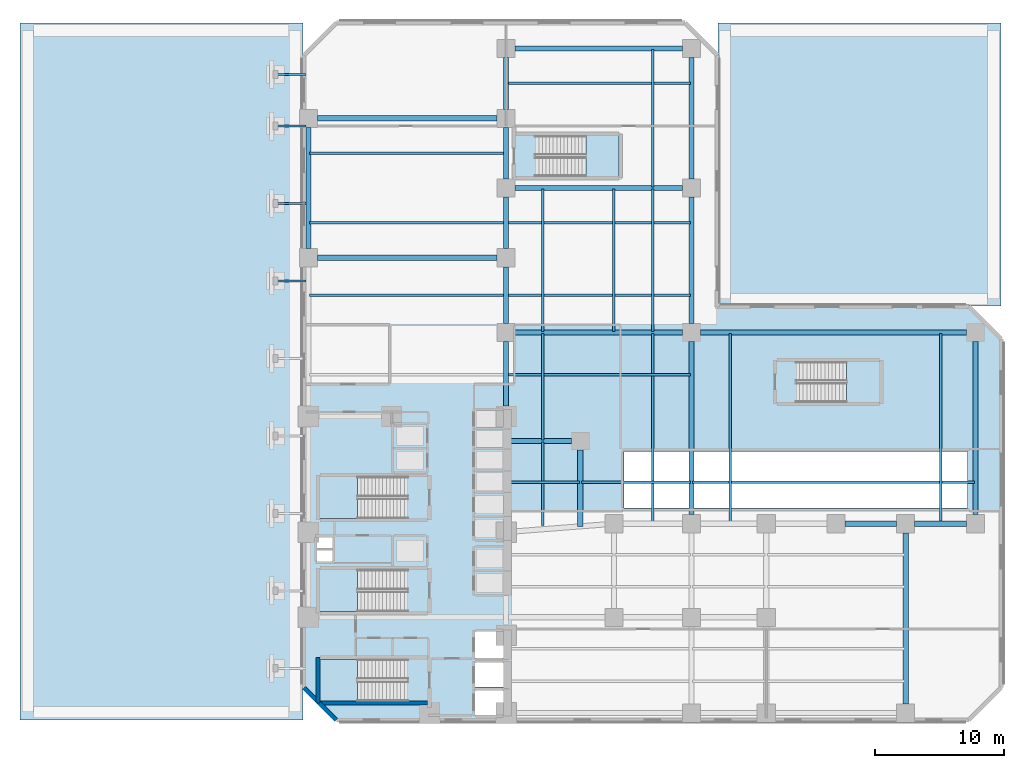
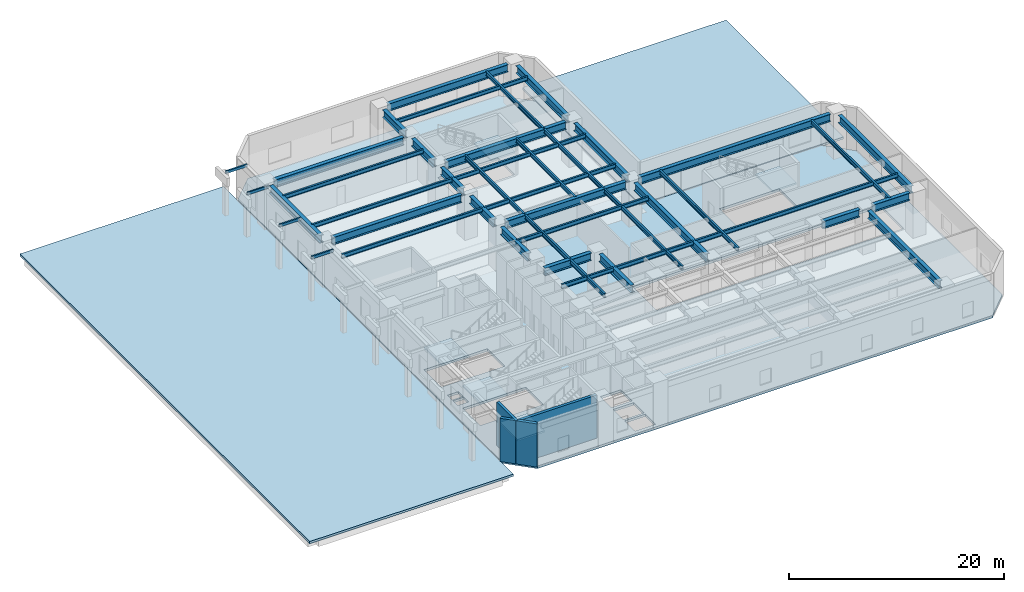
# One storey, part 2 of 14: 44 beams, 8 slabs, 3 walls, 5 elements without a shape of their own.
"""IFC4 building model written with IfcOpenShell, lengths in metres."""

from ifc_helpers import new_model, si_unit, direction, frame, frame_2d, origin, origin_2d, place, context, subcontext, project, spatial, polyline, rectangle, hollow_rectangle, i_section, outline, extrude, material, layer, layer_set, material_profile, profile_set, type_object, element, aggregate, save


model = new_model("IFC4")

# Units and contexts
model_context = context("Model", 3, precision=1e-05, world=origin(), true_north=direction((0.0, 1.0)))
body_context = subcontext(model_context, "Body", "Model", "MODEL_VIEW")
ifc_project = project(units=[si_unit("LENGTHUNIT", "METRE"), si_unit("AREAUNIT", "SQUARE_METRE"), si_unit("VOLUMEUNIT", "CUBIC_METRE"), si_unit("PLANEANGLEUNIT", "RADIAN"), si_unit("MASSUNIT", "GRAM", prefix="KILO")], contexts=[model_context])

# Site, building, storey
site_placement = place(None, origin())
site = spatial("IfcSite", under=ifc_project, at=site_placement, CompositionType="ELEMENT")
building_placement = place(site_placement, origin())
building = spatial("IfcBuilding", under=site, at=building_placement, Name="Mawjaban Terraces University", CompositionType="ELEMENT")
storey_placement = place(building_placement, origin())
storey = spatial("IfcBuildingStorey", under=building, at=storey_placement, Name="L00", CompositionType="ELEMENT", Elevation=0.0)

# Beams
ifc_material_1 = material(Name="Steel EN 10210-1 S355J2H", Category="steel")
ifc_material_profile_1 = material_profile(ifc_material_1, hollow_rectangle(XDim=0.14990234375, YDim=0.300048828125, WallThickness=0.012451171875, at=origin_2d()), Name="RHS300X150X12.5")
ifc_profile_set_1 = profile_set([ifc_material_profile_1], Name="Steel EN 10210-1 S355J2H")
beam_type_1 = type_object("IfcBeamType", Name="BalconyCantileverSpandrel_RHS", PredefinedType="SPANDREL", material=ifc_profile_set_1)
for number, where, z_axis, x_axis, name in (
    (1, (19.800048828125, 34.0, 4.77001953125), (1.0, 0.0, 0.0), (0.0, 1.0, 0.0), "L00 Plaza Canopy Tie Beam 06"),
    (2, (19.800048828125, 40.0, 4.77001953125), (1.0, 0.0, 0.0), (0.0, 1.0, 0.0), "L00 Plaza Canopy Tie Beam 07"),
    (3, (19.800048828125, 46.0, 4.77001953125), (1.0, 0.0, 0.0), (0.0, 1.0, 0.0), "L00 Plaza Canopy Tie Beam 08"),
    (4, (19.800048828125, 50.0, 4.77001953125), (1.0, 0.0, 0.0), (0.0, 1.0, 0.0), "L00 Plaza Canopy Tie Beam 09"),
):
    element("IfcBeam", number, at=place(storey_placement, frame(where, z_axis=z_axis, x_axis=x_axis)), inside=storey, type_object=beam_type_1, Name=name, PredefinedType="SPANDREL", context=body_context, shape_type="SweptSolid", body=[
        extrude(hollow_rectangle(XDim=0.14990234375, YDim=0.300048828125, WallThickness=0.012451171875, at=origin_2d()), origin(), (0.0, 0.0, 1.0), 2.349853515625),
    ])
ifc_material_2 = material(Name="Steel ASTM A572 Grade 50", Category="steel")
ifc_material_profile_2 = material_profile(ifc_material_2, i_section(OverallWidth=0.39990234375, OverallDepth=0.85498046875, WebThickness=0.018310546875, FlangeThickness=0.029296875, at=origin_2d()), Name="W840X299")
ifc_profile_set_2 = profile_set([ifc_material_profile_2], Name="Steel ASTM A572 Grade 50")
beam_type_2 = type_object("IfcBeamType", Name="Beam_B_W840X299", PredefinedType="BEAM", material=ifc_profile_set_2)
for number, where, z_axis, x_axis, name in (
    (5, (63.89990234375, 15.199951171875, 4.491943359375), (1.0, 0.0, 0.0), (0.0, 1.0, 0.0), "L00 Beam BM-L00-EW-10"),
    (6, (69.300048828125, 15.199951171875, 4.491943359375), (1.0, 0.0, 0.0), (0.0, 1.0, 0.0), "L00 Beam BM-L00-EW-11"),
):
    element("IfcBeam", number, at=place(storey_placement, frame(where, z_axis=z_axis, x_axis=x_axis)), inside=storey, type_object=beam_type_2, Name=name, PredefinedType="BEAM", context=body_context, shape_type="SweptSolid", body=[
        extrude(i_section(OverallWidth=0.39990234375, OverallDepth=0.85498046875, WebThickness=0.018310546875, FlangeThickness=0.029296875, at=origin_2d()), origin(), (0.0, 0.0, 1.0), 4.0),
    ])
beam_1_placement = place(storey_placement, frame((38.35009765625, 30.0, 4.491943359375), z_axis=(1.0, 0.0, 0.0), x_axis=(0.0, 1.0, 0.0)))
element("IfcBeam", 7, at=beam_1_placement, inside=storey, type_object=beam_type_2, Name="L00 Beam BM-L00-EW-13", PredefinedType="BEAM", context=body_context, shape_type="SweptSolid", body=[
    extrude(i_section(OverallWidth=0.39990234375, OverallDepth=0.85498046875, WebThickness=0.018310546875, FlangeThickness=0.029296875, at=origin_2d()), origin(), (0.0, 0.0, 1.0), 12.949951171875),
])
beam_2_placement = place(storey_placement, frame((52.699951171875, 30.0, 4.491943359375), z_axis=(1.0, 0.0, 0.0), x_axis=(0.0, 1.0, 0.0)))
element("IfcBeam", 8, at=beam_2_placement, inside=storey, type_object=beam_type_2, Name="L00 Beam BM-L00-EW-14", PredefinedType="BEAM", context=body_context, shape_type="SweptSolid", body=[
    extrude(i_section(OverallWidth=0.39990234375, OverallDepth=0.85498046875, WebThickness=0.018310546875, FlangeThickness=0.029296875, at=origin_2d()), origin(), (0.0, 0.0, 1.0), 20.60009765625),
])
beam_3_placement = place(storey_placement, frame((23.050048828125, 35.800048828125, 4.491943359375), z_axis=(1.0, 0.0, 0.0), x_axis=(0.0, 1.0, 0.0)))
element("IfcBeam", 9, at=beam_3_placement, inside=storey, type_object=beam_type_2, Name="L00 Beam BM-L00-EW-15", PredefinedType="BEAM", context=body_context, shape_type="SweptSolid", body=[
    extrude(i_section(OverallWidth=0.39990234375, OverallDepth=0.85498046875, WebThickness=0.018310546875, FlangeThickness=0.029296875, at=origin_2d()), origin(), (0.0, 0.0, 1.0), 13.89990234375),
])
beam_4_placement = place(storey_placement, frame((38.35009765625, 41.199951171875, 4.491943359375), z_axis=(1.0, 0.0, 0.0), x_axis=(0.0, 1.0, 0.0)))
element("IfcBeam", 10, at=beam_4_placement, inside=storey, type_object=beam_type_2, Name="L00 Beam BM-L00-EW-16", PredefinedType="BEAM", context=body_context, shape_type="SweptSolid", body=[
    extrude(i_section(OverallWidth=0.39990234375, OverallDepth=0.85498046875, WebThickness=0.018310546875, FlangeThickness=0.029296875, at=origin_2d()), origin(), (0.0, 0.0, 1.0), 12.949951171875),
])
beam_5_placement = place(storey_placement, frame((23.050048828125, 46.60009765625, 4.491943359375), z_axis=(1.0, 0.0, 0.0), x_axis=(0.0, 1.0, 0.0)))
element("IfcBeam", 11, at=beam_5_placement, inside=storey, type_object=beam_type_2, Name="L00 Beam BM-L00-EW-17", PredefinedType="BEAM", context=body_context, shape_type="SweptSolid", body=[
    extrude(i_section(OverallWidth=0.39990234375, OverallDepth=0.85498046875, WebThickness=0.018310546875, FlangeThickness=0.029296875, at=origin_2d()), origin(), (0.0, 0.0, 1.0), 13.89990234375),
])
beam_6_placement = place(storey_placement, frame((38.35009765625, 52.0, 4.491943359375), z_axis=(1.0, 0.0, 0.0), x_axis=(0.0, 1.0, 0.0)))
element("IfcBeam", 12, at=beam_6_placement, inside=storey, type_object=beam_type_2, Name="L00 Beam BM-L00-EW-18", PredefinedType="BEAM", context=body_context, shape_type="SweptSolid", body=[
    extrude(i_section(OverallWidth=0.39990234375, OverallDepth=0.85498046875, WebThickness=0.018310546875, FlangeThickness=0.029296875, at=origin_2d()), origin(), (0.0, 0.0, 1.0), 12.949951171875),
])
beam_7_placement = place(storey_placement, frame((22.35009765625, 36.5, 4.491943359375), z_axis=(0.0, 1.0, 0.0), x_axis=(-1.0, 0.0, 0.0)))
element("IfcBeam", 13, at=beam_7_placement, inside=storey, type_object=beam_type_2, Name="L00 Beam BM-L00-NS-04", PredefinedType="BEAM", context=body_context, shape_type="SweptSolid", body=[
    extrude(i_section(OverallWidth=0.39990234375, OverallDepth=0.85498046875, WebThickness=0.018310546875, FlangeThickness=0.029296875, at=origin_2d()), origin(), (0.0, 0.0, 1.0), 9.39990234375),
])
beam_8_placement = place(storey_placement, frame((37.64990234375, 24.300048828125, 4.491943359375), z_axis=(0.0, 1.0, 0.0), x_axis=(-1.0, 0.0, 0.0)))
element("IfcBeam", 14, at=beam_8_placement, inside=storey, type_object=beam_type_2, Name="L00 Beam BM-L00-NS-08", PredefinedType="BEAM", context=body_context, shape_type="SweptSolid", body=[
    extrude(i_section(OverallWidth=0.39990234375, OverallDepth=0.85498046875, WebThickness=0.018310546875, FlangeThickness=0.029296875, at=origin_2d()), origin(), (0.0, 0.0, 1.0), 5.0),
])
beam_9_placement = place(storey_placement, frame((37.64990234375, 30.699951171875, 4.491943359375), z_axis=(0.0, 1.0, 0.0), x_axis=(-1.0, 0.0, 0.0)))
element("IfcBeam", 15, at=beam_9_placement, inside=storey, type_object=beam_type_2, Name="L00 Beam BM-L00-NS-09", PredefinedType="BEAM", context=body_context, shape_type="SweptSolid", body=[
    extrude(i_section(OverallWidth=0.39990234375, OverallDepth=0.85498046875, WebThickness=0.018310546875, FlangeThickness=0.029296875, at=origin_2d()), origin(), (0.0, 0.0, 1.0), 4.400146484375),
])
for number, where, z_axis, x_axis, name in (
    (16, (37.64990234375, 36.5, 4.491943359375), (0.0, 1.0, 0.0), (-1.0, 0.0, 0.0), "L00 Beam BM-L00-NS-10"),
    (17, (37.64990234375, 41.89990234375, 4.491943359375), (0.0, 1.0, 0.0), (-1.0, 0.0, 0.0), "L00 Beam BM-L00-NS-11"),
    (18, (37.64990234375, 47.300048828125, 4.491943359375), (0.0, 1.0, 0.0), (-1.0, 0.0, 0.0), "L00 Beam BM-L00-NS-12"),
):
    element("IfcBeam", number, at=place(storey_placement, frame(where, z_axis=z_axis, x_axis=x_axis)), inside=storey, type_object=beam_type_2, Name=name, PredefinedType="BEAM", context=body_context, shape_type="SweptSolid", body=[
        extrude(i_section(OverallWidth=0.39990234375, OverallDepth=0.85498046875, WebThickness=0.018310546875, FlangeThickness=0.029296875, at=origin_2d()), origin(), (0.0, 0.0, 1.0), 4.0),
    ])
beam_10_placement = place(storey_placement, frame((52.0, 15.89990234375, 4.491943359375), z_axis=(0.0, 1.0, 0.0), x_axis=(-1.0, 0.0, 0.0)))
element("IfcBeam", 19, at=beam_10_placement, inside=storey, type_object=beam_type_2, Name="L00 Beam BM-L00-NS-16", PredefinedType="BEAM", context=body_context, shape_type="SweptSolid", body=[
    extrude(i_section(OverallWidth=0.39990234375, OverallDepth=0.85498046875, WebThickness=0.018310546875, FlangeThickness=0.029296875, at=origin_2d()), origin(), (0.0, 0.0, 1.0), 13.400146484375),
])
beam_11_placement = place(storey_placement, frame((52.0, 30.699951171875, 4.491943359375), z_axis=(0.0, 1.0, 0.0), x_axis=(-1.0, 0.0, 0.0)))
element("IfcBeam", 20, at=beam_11_placement, inside=storey, type_object=beam_type_2, Name="L00 Beam BM-L00-NS-17", PredefinedType="BEAM", context=body_context, shape_type="SweptSolid", body=[
    extrude(i_section(OverallWidth=0.39990234375, OverallDepth=0.85498046875, WebThickness=0.018310546875, FlangeThickness=0.029296875, at=origin_2d()), origin(), (0.0, 0.0, 1.0), 9.800048828125),
])
beam_12_placement = place(storey_placement, frame((52.0, 41.89990234375, 4.491943359375), z_axis=(0.0, 1.0, 0.0), x_axis=(-1.0, 0.0, 0.0)))
element("IfcBeam", 21, at=beam_12_placement, inside=storey, type_object=beam_type_2, Name="L00 Beam BM-L00-NS-18", PredefinedType="BEAM", context=body_context, shape_type="SweptSolid", body=[
    extrude(i_section(OverallWidth=0.39990234375, OverallDepth=0.85498046875, WebThickness=0.018310546875, FlangeThickness=0.029296875, at=origin_2d()), origin(), (0.0, 0.0, 1.0), 9.400146484375),
])
beam_13_placement = place(storey_placement, frame((68.60009765625, 1.25, 4.491943359375), z_axis=(0.0, 1.0, 0.0), x_axis=(-1.0, 0.0, 0.0)))
element("IfcBeam", 22, at=beam_13_placement, inside=storey, type_object=beam_type_2, Name="L00 Beam BM-L00-NS-21", PredefinedType="BEAM", context=body_context, shape_type="SweptSolid", body=[
    extrude(i_section(OverallWidth=0.39990234375, OverallDepth=0.85498046875, WebThickness=0.018310546875, FlangeThickness=0.029296875, at=origin_2d()), origin(), (0.0, 0.0, 1.0), 13.25),
])
beam_14_placement = place(storey_placement, frame((74.0, 15.89990234375, 4.491943359375), z_axis=(0.0, 1.0, 0.0), x_axis=(-1.0, 0.0, 0.0)))
element("IfcBeam", 23, at=beam_14_placement, inside=storey, type_object=beam_type_2, Name="L00 Beam BM-L00-NS-22", PredefinedType="BEAM", context=body_context, shape_type="SweptSolid", body=[
    extrude(i_section(OverallWidth=0.39990234375, OverallDepth=0.85498046875, WebThickness=0.018310546875, FlangeThickness=0.029296875, at=origin_2d()), origin(), (0.0, 0.0, 1.0), 13.400146484375),
])
beam_15_placement = place(storey_placement, frame((37.679931640625, 21.60009765625, 4.491943359375), z_axis=(1.0, 0.0, 0.0), x_axis=(0.0, 1.0, 0.0)))
element("IfcBeam", 24, at=beam_15_placement, inside=storey, type_object=beam_type_2, Name="L00 Spur Tie Girder West", PredefinedType="BEAM", context=body_context, shape_type="SweptSolid", body=[
    extrude(i_section(OverallWidth=0.39990234375, OverallDepth=0.85498046875, WebThickness=0.018310546875, FlangeThickness=0.029296875, at=origin_2d()), origin(), (0.0, 0.0, 1.0), 5.02001953125),
])
beam_16_placement = place(storey_placement, frame((43.39990234375, 15.0, 4.491943359375), z_axis=(0.0, 1.0, 0.0), x_axis=(-1.0, 0.0, 0.0)))
element("IfcBeam", 25, at=beam_16_placement, inside=storey, type_object=beam_type_2, Name="L00 Spur Tie Girder South", PredefinedType="BEAM", context=body_context, shape_type="SweptSolid", body=[
    extrude(i_section(OverallWidth=0.39990234375, OverallDepth=0.85498046875, WebThickness=0.018310546875, FlangeThickness=0.029296875, at=origin_2d()), origin(), (0.0, 0.0, 1.0), 5.89990234375),
])
ifc_material_profile_3 = material_profile(ifc_material_2, i_section(OverallWidth=0.194091796875, OverallDepth=0.468994140625, WebThickness=0.011474609375, FlangeThickness=0.0205078125, at=origin_2d()), Name="W460X106")
ifc_profile_set_3 = profile_set([ifc_material_profile_3], Name="Steel ASTM A572 Grade 50")
beam_type_3 = type_object("IfcBeamType", Name="Beam_J_W460X106", PredefinedType="JOIST", material=ifc_profile_set_3)
beam_17_placement = place(storey_placement, frame((37.72998046875, 18.39990234375, 4.68603515625), z_axis=(1.0, 0.0, 0.0), x_axis=(0.0, 1.0, 0.0)))
element("IfcBeam", 26, at=beam_17_placement, inside=storey, type_object=beam_type_3, Name="L00 Composite Joist JST-L00-15", PredefinedType="JOIST", context=body_context, shape_type="SweptSolid", body=[
    extrude(i_section(OverallWidth=0.194091796875, OverallDepth=0.468994140625, WebThickness=0.011474609375, FlangeThickness=0.0205078125, at=origin_2d()), origin(), (0.0, 0.0, 1.0), 5.590087890625),
])
beam_18_placement = place(storey_placement, frame((43.47998046875, 18.39990234375, 4.68603515625), z_axis=(1.0, 0.0, 0.0), x_axis=(0.0, 1.0, 0.0)))
element("IfcBeam", 27, at=beam_18_placement, inside=storey, type_object=beam_type_3, Name="L00 Composite Joist JST-L00-16", PredefinedType="JOIST", context=body_context, shape_type="SweptSolid", body=[
    extrude(i_section(OverallWidth=0.194091796875, OverallDepth=0.468994140625, WebThickness=0.011474609375, FlangeThickness=0.0205078125, at=origin_2d()), origin(), (0.0, 0.0, 1.0), 8.43994140625),
])
beam_19_placement = place(storey_placement, frame((52.080078125, 18.39990234375, 4.68603515625), z_axis=(1.0, 0.0, 0.0), x_axis=(0.0, 1.0, 0.0)))
element("IfcBeam", 28, at=beam_19_placement, inside=storey, type_object=beam_type_3, Name="L00 Composite Joist JST-L00-17", PredefinedType="JOIST", context=body_context, shape_type="SweptSolid", body=[
    extrude(i_section(OverallWidth=0.194091796875, OverallDepth=0.468994140625, WebThickness=0.011474609375, FlangeThickness=0.0205078125, at=origin_2d()), origin(), (0.0, 0.0, 1.0), 21.83984375),
])
beam_20_placement = place(storey_placement, frame((37.72998046875, 26.75, 4.68603515625), z_axis=(1.0, 0.0, 0.0), x_axis=(0.0, 1.0, 0.0)))
element("IfcBeam", 29, at=beam_20_placement, inside=storey, type_object=beam_type_3, Name="L00 Composite Joist JST-L00-19", PredefinedType="JOIST", context=body_context, shape_type="SweptSolid", body=[
    extrude(i_section(OverallWidth=0.194091796875, OverallDepth=0.468994140625, WebThickness=0.011474609375, FlangeThickness=0.0205078125, at=origin_2d()), origin(), (0.0, 0.0, 1.0), 14.18994140625),
])
beam_21_placement = place(storey_placement, frame((22.429931640625, 32.89990234375, 4.68603515625), z_axis=(1.0, 0.0, 0.0), x_axis=(0.0, 1.0, 0.0)))
element("IfcBeam", 30, at=beam_21_placement, inside=storey, type_object=beam_type_3, Name="L00 Composite Joist JST-L00-20", PredefinedType="JOIST", context=body_context, shape_type="SweptSolid", body=[
    extrude(i_section(OverallWidth=0.194091796875, OverallDepth=0.468994140625, WebThickness=0.011474609375, FlangeThickness=0.0205078125, at=origin_2d()), origin(), (0.0, 0.0, 1.0), 15.14013671875),
])
beam_22_placement = place(storey_placement, frame((37.72998046875, 32.89990234375, 4.68603515625), z_axis=(1.0, 0.0, 0.0), x_axis=(0.0, 1.0, 0.0)))
element("IfcBeam", 31, at=beam_22_placement, inside=storey, type_object=beam_type_3, Name="L00 Composite Joist JST-L00-21", PredefinedType="JOIST", context=body_context, shape_type="SweptSolid", body=[
    extrude(i_section(OverallWidth=0.194091796875, OverallDepth=0.468994140625, WebThickness=0.011474609375, FlangeThickness=0.0205078125, at=origin_2d()), origin(), (0.0, 0.0, 1.0), 14.18994140625),
])
beam_23_placement = place(storey_placement, frame((22.429931640625, 38.5, 4.68603515625), z_axis=(1.0, 0.0, 0.0), x_axis=(0.0, 1.0, 0.0)))
element("IfcBeam", 32, at=beam_23_placement, inside=storey, type_object=beam_type_3, Name="L00 Composite Joist JST-L00-22", PredefinedType="JOIST", context=body_context, shape_type="SweptSolid", body=[
    extrude(i_section(OverallWidth=0.194091796875, OverallDepth=0.468994140625, WebThickness=0.011474609375, FlangeThickness=0.0205078125, at=origin_2d()), origin(), (0.0, 0.0, 1.0), 15.14013671875),
])
beam_24_placement = place(storey_placement, frame((37.72998046875, 38.5, 4.68603515625), z_axis=(1.0, 0.0, 0.0), x_axis=(0.0, 1.0, 0.0)))
element("IfcBeam", 33, at=beam_24_placement, inside=storey, type_object=beam_type_3, Name="L00 Composite Joist JST-L00-23", PredefinedType="JOIST", context=body_context, shape_type="SweptSolid", body=[
    extrude(i_section(OverallWidth=0.194091796875, OverallDepth=0.468994140625, WebThickness=0.011474609375, FlangeThickness=0.0205078125, at=origin_2d()), origin(), (0.0, 0.0, 1.0), 14.18994140625),
])
beam_25_placement = place(storey_placement, frame((22.429931640625, 43.89990234375, 4.68603515625), z_axis=(1.0, 0.0, 0.0), x_axis=(0.0, 1.0, 0.0)))
element("IfcBeam", 34, at=beam_25_placement, inside=storey, type_object=beam_type_3, Name="L00 Composite Joist JST-L00-24", PredefinedType="JOIST", context=body_context, shape_type="SweptSolid", body=[
    extrude(i_section(OverallWidth=0.194091796875, OverallDepth=0.468994140625, WebThickness=0.011474609375, FlangeThickness=0.0205078125, at=origin_2d()), origin(), (0.0, 0.0, 1.0), 15.14013671875),
])
beam_26_placement = place(storey_placement, frame((37.72998046875, 49.300048828125, 4.68603515625), z_axis=(1.0, 0.0, 0.0), x_axis=(0.0, 1.0, 0.0)))
element("IfcBeam", 35, at=beam_26_placement, inside=storey, type_object=beam_type_3, Name="L00 Composite Joist JST-L00-25", PredefinedType="JOIST", context=body_context, shape_type="SweptSolid", body=[
    extrude(i_section(OverallWidth=0.194091796875, OverallDepth=0.468994140625, WebThickness=0.011474609375, FlangeThickness=0.0205078125, at=origin_2d()), origin(), (0.0, 0.0, 1.0), 14.18994140625),
])
beam_27_placement = place(storey_placement, frame((40.5, 15.080078125, 4.68603515625), z_axis=(0.0, 1.0, 0.0), x_axis=(-1.0, 0.0, 0.0)))
element("IfcBeam", 36, at=beam_27_placement, inside=storey, type_object=beam_type_3, Name="L00 Composite Joist JST-L00-NS-26", PredefinedType="JOIST", context=body_context, shape_type="SweptSolid", body=[
    extrude(i_section(OverallWidth=0.194091796875, OverallDepth=0.468994140625, WebThickness=0.011474609375, FlangeThickness=0.0205078125, at=origin_2d()), origin(), (0.0, 0.0, 1.0), 6.43994140625),
])
beam_28_placement = place(storey_placement, frame((40.5, 21.679931640625, 4.68603515625), z_axis=(0.0, 1.0, 0.0), x_axis=(-1.0, 0.0, 0.0)))
element("IfcBeam", 37, at=beam_28_placement, inside=storey, type_object=beam_type_3, Name="L00 Composite Joist JST-L00-NS-27", PredefinedType="JOIST", context=body_context, shape_type="SweptSolid", body=[
    extrude(i_section(OverallWidth=0.194091796875, OverallDepth=0.468994140625, WebThickness=0.011474609375, FlangeThickness=0.0205078125, at=origin_2d()), origin(), (0.0, 0.0, 1.0), 8.239990234375),
])
for number, where, z_axis, x_axis, name in (
    (38, (40.5, 30.080078125, 4.68603515625), (0.0, 1.0, 0.0), (-1.0, 0.0, 0.0), "L00 Composite Joist JST-L00-NS-28"),
    (39, (46.0, 30.080078125, 4.68603515625), (0.0, 1.0, 0.0), (-1.0, 0.0, 0.0), "L00 Composite Joist JST-L00-NS-29"),
):
    element("IfcBeam", number, at=place(storey_placement, frame(where, z_axis=z_axis, x_axis=x_axis)), inside=storey, type_object=beam_type_3, Name=name, PredefinedType="JOIST", context=body_context, shape_type="SweptSolid", body=[
        extrude(i_section(OverallWidth=0.194091796875, OverallDepth=0.468994140625, WebThickness=0.011474609375, FlangeThickness=0.0205078125, at=origin_2d()), origin(), (0.0, 0.0, 1.0), 11.0400390625),
    ])
beam_29_placement = place(storey_placement, frame((49.0, 15.280029296875, 4.68603515625), z_axis=(0.0, 1.0, 0.0), x_axis=(-1.0, 0.0, 0.0)))
element("IfcBeam", 40, at=beam_29_placement, inside=storey, type_object=beam_type_3, Name="L00 Composite Joist JST-L00-NS-30", PredefinedType="JOIST", context=body_context, shape_type="SweptSolid", body=[
    extrude(i_section(OverallWidth=0.194091796875, OverallDepth=0.468994140625, WebThickness=0.011474609375, FlangeThickness=0.0205078125, at=origin_2d()), origin(), (0.0, 0.0, 1.0), 14.639892578125),
])
beam_30_placement = place(storey_placement, frame((49.0, 30.080078125, 4.68603515625), z_axis=(0.0, 1.0, 0.0), x_axis=(-1.0, 0.0, 0.0)))
element("IfcBeam", 41, at=beam_30_placement, inside=storey, type_object=beam_type_3, Name="L00 Composite Joist JST-L00-NS-31", PredefinedType="JOIST", context=body_context, shape_type="SweptSolid", body=[
    extrude(i_section(OverallWidth=0.194091796875, OverallDepth=0.468994140625, WebThickness=0.011474609375, FlangeThickness=0.0205078125, at=origin_2d()), origin(), (0.0, 0.0, 1.0), 11.0400390625),
])
beam_31_placement = place(storey_placement, frame((49.0, 41.280029296875, 4.68603515625), z_axis=(0.0, 1.0, 0.0), x_axis=(-1.0, 0.0, 0.0)))
element("IfcBeam", 42, at=beam_31_placement, inside=storey, type_object=beam_type_3, Name="L00 Composite Joist JST-L00-NS-32", PredefinedType="JOIST", context=body_context, shape_type="SweptSolid", body=[
    extrude(i_section(OverallWidth=0.194091796875, OverallDepth=0.468994140625, WebThickness=0.011474609375, FlangeThickness=0.0205078125, at=origin_2d()), origin(), (0.0, 0.0, 1.0), 10.639892578125),
])
for number, where, z_axis, x_axis, name in (
    (43, (55.0, 15.280029296875, 4.68603515625), (0.0, 1.0, 0.0), (-1.0, 0.0, 0.0), "L00 Composite Joist JST-L00-NS-33"),
    (44, (71.300048828125, 15.280029296875, 4.68603515625), (0.0, 1.0, 0.0), (-1.0, 0.0, 0.0), "L00 Composite Joist JST-L00-NS-34"),
):
    element("IfcBeam", number, at=place(storey_placement, frame(where, z_axis=z_axis, x_axis=x_axis)), inside=storey, type_object=beam_type_3, Name=name, PredefinedType="JOIST", context=body_context, shape_type="SweptSolid", body=[
        extrude(i_section(OverallWidth=0.194091796875, OverallDepth=0.468994140625, WebThickness=0.011474609375, FlangeThickness=0.0205078125, at=origin_2d()), origin(), (0.0, 0.0, 1.0), 14.639892578125),
    ])

# Slabs
ifc_material_3 = material(Name="Concrete C40/50", Category="concrete")
ifc_layer_1 = layer(ifc_material_3, 0.25)
ifc_layer_set_1 = layer_set([ifc_layer_1], Name="Concrete C40/50")
slab_type_1 = type_object("IfcSlabType", Name="PlazaPavingSlab_250_Ext", PredefinedType="USERDEFINED", material=ifc_layer_set_1)
slab_1_placement = place(storey_placement, frame((0.0, 0.0, -0.25)))
element("IfcSlab", 45, at=slab_1_placement, inside=storey, type_object=slab_type_1, Name="L00 Exterior Plaza Slab", ObjectType="PAVING", PredefinedType="USERDEFINED", context=body_context, shape_type="SweptSolid", body=[
    extrude(outline(polyline([(0.0, 0.0), (21.925048828125, 0.0), (21.925048828125, 54.0), (0.0, 54.0), (0.0, 0.0)])), origin(), (0.0, 0.0, 1.0), 0.25),
])
slab_2_placement = place(storey_placement, frame((0.0, 0.0, -0.25)))
element("IfcSlab", 46, at=slab_2_placement, inside=storey, type_object=slab_type_1, Name="L00 Exterior Plaza Slab", ObjectType="PAVING", PredefinedType="USERDEFINED", context=body_context, shape_type="SweptSolid", body=[
    extrude(outline(polyline([(54.074951171875, 32.074951171875), (76.0, 32.074951171875), (76.0, 54.0), (54.074951171875, 54.0), (54.074951171875, 32.074951171875)])), origin(), (0.0, 0.0, 1.0), 0.25),
])
ifc_layer_2 = layer(ifc_material_3, 0.280029296875)
ifc_layer_set_2 = layer_set([ifc_layer_2], Name="Concrete C40/50")
slab_type_2 = type_object("IfcSlabType", Name="PodiumSlab_280", PredefinedType="FLOOR", material=ifc_layer_set_2)
slab_3_placement = place(storey_placement, frame((0.0, 0.0, -0.280029296875)))
element("IfcSlab", 47, at=slab_3_placement, inside=storey, type_object=slab_type_2, Name="L00 Primary Structural Slab", PredefinedType="FLOOR", context=body_context, shape_type="SweptSolid", body=[
    extrude(outline(polyline([(24.5, 0.0), (73.5, 0.0), (76.0, 2.5), (76.0, 29.5), (73.5, 32.0), (54.0, 32.0), (54.0, 51.5), (51.5, 54.0), (24.5, 54.0), (22.0, 51.5), (22.0, 2.5), (24.5, 0.0)]), holes=[polyline([(30.014892578125, 4.699951171875), (23.199951171875, 4.699951171875), (23.199951171875, 1.449951171875), (30.014892578125, 1.449951171875), (30.014892578125, 4.699951171875)]), polyline([(30.014892578125, 18.85009765625), (23.199951171875, 18.85009765625), (23.199951171875, 15.60009765625), (30.014892578125, 15.60009765625), (30.014892578125, 18.85009765625)]), polyline([(30.014892578125, 11.64990234375), (23.199951171875, 11.64990234375), (23.199951171875, 8.39990234375), (30.014892578125, 8.39990234375), (30.014892578125, 11.64990234375)]), polyline([(39.93505859375, 42.10009765625), (46.39990234375, 42.10009765625), (46.39990234375, 45.25), (39.93505859375, 45.25), (39.93505859375, 42.10009765625)]), polyline([(60.135009765625, 24.60009765625), (66.60009765625, 24.60009765625), (66.60009765625, 27.75), (60.135009765625, 27.75), (60.135009765625, 24.60009765625)]), polyline([(35.25, 0.39990234375), (37.449951171875, 0.39990234375), (37.449951171875, 2.300048828125), (35.25, 2.300048828125), (35.25, 0.39990234375)]), polyline([(35.25, 2.550048828125), (37.449951171875, 2.550048828125), (37.449951171875, 4.449951171875), (35.25, 4.449951171875), (35.25, 2.550048828125)]), polyline([(35.25, 4.800048828125), (37.449951171875, 4.800048828125), (37.449951171875, 6.85009765625), (35.25, 6.85009765625), (35.25, 4.800048828125)]), polyline([(23.0, 12.25), (24.199951171875, 12.25), (24.199951171875, 13.14990234375), (23.0, 13.14990234375), (23.0, 12.25)]), polyline([(23.0, 13.300048828125), (24.199951171875, 13.300048828125), (24.199951171875, 14.179931640625), (23.0, 14.179931640625), (23.0, 13.300048828125)]), polyline([(46.800048828125, 16.39990234375), (73.39990234375, 16.39990234375), (73.39990234375, 20.800048828125), (46.800048828125, 20.800048828125), (46.800048828125, 16.39990234375)])]), origin(), (0.0, 0.0, 1.0), 0.280029296875),
])

# Stair, slab
stair_type_1 = type_object("IfcStairType", Name="Stair_Core1550_H52", PredefinedType="HALF_TURN_STAIR", material=ifc_material_3)
stair_1_placement = place(storey_placement, origin())
stair_1 = element("IfcStair", 48, at=stair_1_placement, inside=storey, type_object=stair_type_1, Name="L00 Core Exit Stair 1", PredefinedType="HALF_TURN_STAIR")
ifc_layer_3 = layer(ifc_material_3, 0.199951171875)
ifc_layer_set_3 = layer_set([ifc_layer_3], Name="Concrete C40/50")
slab_type_3 = type_object("IfcSlabType", Name="StairLandingSlab_200", PredefinedType="LANDING", material=ifc_layer_set_3)
slab_4_placement = place(storey_placement, frame((0.0, 0.0, 2.39990234375)))
slab_4 = element("IfcSlab", 49, at=slab_4_placement, type_object=slab_type_3, Name="ST-1 landing 1", PredefinedType="LANDING", context=body_context, shape_type="SweptSolid", body=[
    extrude(outline(polyline([(26.1298828125, 4.699951171875), (23.199951171875, 4.699951171875), (23.199951171875, 1.449951171875), (26.1298828125, 1.449951171875), (26.1298828125, 4.699951171875)])), origin(), (0.0, 0.0, 1.0), 0.2001953125),
])
aggregate(stair_1, [slab_4])

stair_2_placement = place(storey_placement, origin())
stair_2 = element("IfcStair", 50, at=stair_2_placement, inside=storey, type_object=stair_type_1, Name="L00 Core Exit Stair 2", PredefinedType="HALF_TURN_STAIR")
slab_5_placement = place(storey_placement, frame((0.0, 0.0, 2.39990234375)))
slab_5 = element("IfcSlab", 51, at=slab_5_placement, type_object=slab_type_3, Name="ST-2 landing 1", PredefinedType="LANDING", context=body_context, shape_type="SweptSolid", body=[
    extrude(outline(polyline([(26.1298828125, 18.85009765625), (23.199951171875, 18.85009765625), (23.199951171875, 15.60009765625), (26.1298828125, 15.60009765625), (26.1298828125, 18.85009765625)])), origin(), (0.0, 0.0, 1.0), 0.2001953125),
])
aggregate(stair_2, [slab_5])

stair_3_placement = place(storey_placement, origin())
stair_3 = element("IfcStair", 52, at=stair_3_placement, inside=storey, type_object=stair_type_1, Name="L00 Core Exit Stair 3", PredefinedType="HALF_TURN_STAIR")
slab_6_placement = place(storey_placement, frame((0.0, 0.0, 2.39990234375)))
slab_6 = element("IfcSlab", 53, at=slab_6_placement, type_object=slab_type_3, Name="ST-3 landing 1", PredefinedType="LANDING", context=body_context, shape_type="SweptSolid", body=[
    extrude(outline(polyline([(26.1298828125, 11.64990234375), (23.199951171875, 11.64990234375), (23.199951171875, 8.39990234375), (26.1298828125, 8.39990234375), (26.1298828125, 11.64990234375)])), origin(), (0.0, 0.0, 1.0), 0.2001953125),
])
aggregate(stair_3, [slab_6])

stair_type_2 = type_object("IfcStairType", Name="Stair_Pod1500_H52", PredefinedType="HALF_TURN_STAIR", material=ifc_material_3)
stair_4_placement = place(storey_placement, origin())
stair_4 = element("IfcStair", 54, at=stair_4_placement, inside=storey, type_object=stair_type_2, Name="L00 Podium North Exit Stair 4", PredefinedType="HALF_TURN_STAIR")
slab_7_placement = place(storey_placement, frame((0.0, 0.0, 2.39990234375)))
slab_7 = element("IfcSlab", 55, at=slab_7_placement, type_object=slab_type_3, Name="ST-4 landing 1", PredefinedType="LANDING", context=body_context, shape_type="SweptSolid", body=[
    extrude(outline(polyline([(43.820068359375, 42.10009765625), (46.39990234375, 42.10009765625), (46.39990234375, 45.25), (43.820068359375, 45.25), (43.820068359375, 42.10009765625)])), origin(), (0.0, 0.0, 1.0), 0.2001953125),
])
aggregate(stair_4, [slab_7])

stair_5_placement = place(storey_placement, origin())
stair_5 = element("IfcStair", 56, at=stair_5_placement, inside=storey, type_object=stair_type_2, Name="L00 Podium East Exit Stair 5", PredefinedType="HALF_TURN_STAIR")
slab_8_placement = place(storey_placement, frame((0.0, 0.0, 2.39990234375)))
slab_8 = element("IfcSlab", 57, at=slab_8_placement, type_object=slab_type_3, Name="ST-5 landing 1", PredefinedType="LANDING", context=body_context, shape_type="SweptSolid", body=[
    extrude(outline(polyline([(64.02001953125, 24.60009765625), (66.60009765625, 24.60009765625), (66.60009765625, 27.75), (64.02001953125, 27.75), (64.02001953125, 24.60009765625)])), origin(), (0.0, 0.0, 1.0), 0.2001953125),
])
aggregate(stair_5, [slab_8])

# Walls
ifc_material_4 = material(Name="Insulated terracotta rainscreen on concrete backup C40/50", Category="masonry")
ifc_layer_4 = layer(ifc_material_4, 0.320068359375)
ifc_layer_set_4 = layer_set([ifc_layer_4], Name="Insulated terracotta rainscreen on concrete backup C40/50")
wall_type_1 = type_object("IfcWallType", Name="ExtTerracottaWall_320", PredefinedType="SOLIDWALL", material=ifc_layer_set_4)
wall_1_placement = place(storey_placement, frame((22.0, 2.5, 0.0), z_axis=(0.0, 0.0, 1.0), x_axis=(0.707106781187, -0.707106781187, 0.0)))
element("IfcWall", 58, at=wall_1_placement, inside=storey, type_object=wall_type_1, Name="L00 Exterior Terracotta Wall 11", PredefinedType="SOLIDWALL", context=body_context, shape_type="SweptSolid", body=[
    extrude(rectangle(XDim=3.53564453125, YDim=0.320068359375, at=frame_2d((1.767822265625, 0.0))), origin(), (0.0, 0.0, 1.0), 4.919921875),
])
ifc_material_5 = material(Name="Concrete C60/75", Category="concrete")
ifc_layer_5 = layer(ifc_material_5, 0.300048828125)
ifc_layer_set_5 = layer_set([ifc_layer_5], Name="Concrete C60/75")
wall_type_2 = type_object("IfcWallType", Name="StairShaftWall_300", PredefinedType="SHEAR", material=ifc_layer_set_5)
wall_2_placement = place(storey_placement, frame((23.070068359375, 4.830078125, 0.0), z_axis=(0.0, 0.0, 1.0), x_axis=(0.0, -1.0, 0.0)))
element("IfcWall", 59, at=wall_2_placement, inside=storey, type_object=wall_type_2, Name="L00 ST-1 Stair Shaft Wall 2", PredefinedType="SHEAR", context=body_context, shape_type="SweptSolid", body=[
    extrude(rectangle(XDim=3.510009765625, YDim=0.300048828125, at=frame_2d((1.7548828125, 0.0))), origin(), (0.0, 0.0, 1.0), 4.919921875),
])
wall_3_placement = place(storey_placement, frame((23.219970703125, 1.320068359375, 0.0), z_axis=(0.0, 0.0, 1.0), x_axis=(1.0, 0.0, 0.0)))
element("IfcWall", 60, at=wall_3_placement, inside=storey, type_object=wall_type_2, Name="L00 ST-1 Stair Shaft Wall 3", PredefinedType="SHEAR", context=body_context, shape_type="SweptSolid", body=[
    extrude(rectangle(XDim=8.360107421875, YDim=0.300048828125, at=frame_2d((4.18017578125, 0.0))), origin(), (0.0, 0.0, 1.0), 4.919921875),
])

save(model, "model.ifc")
